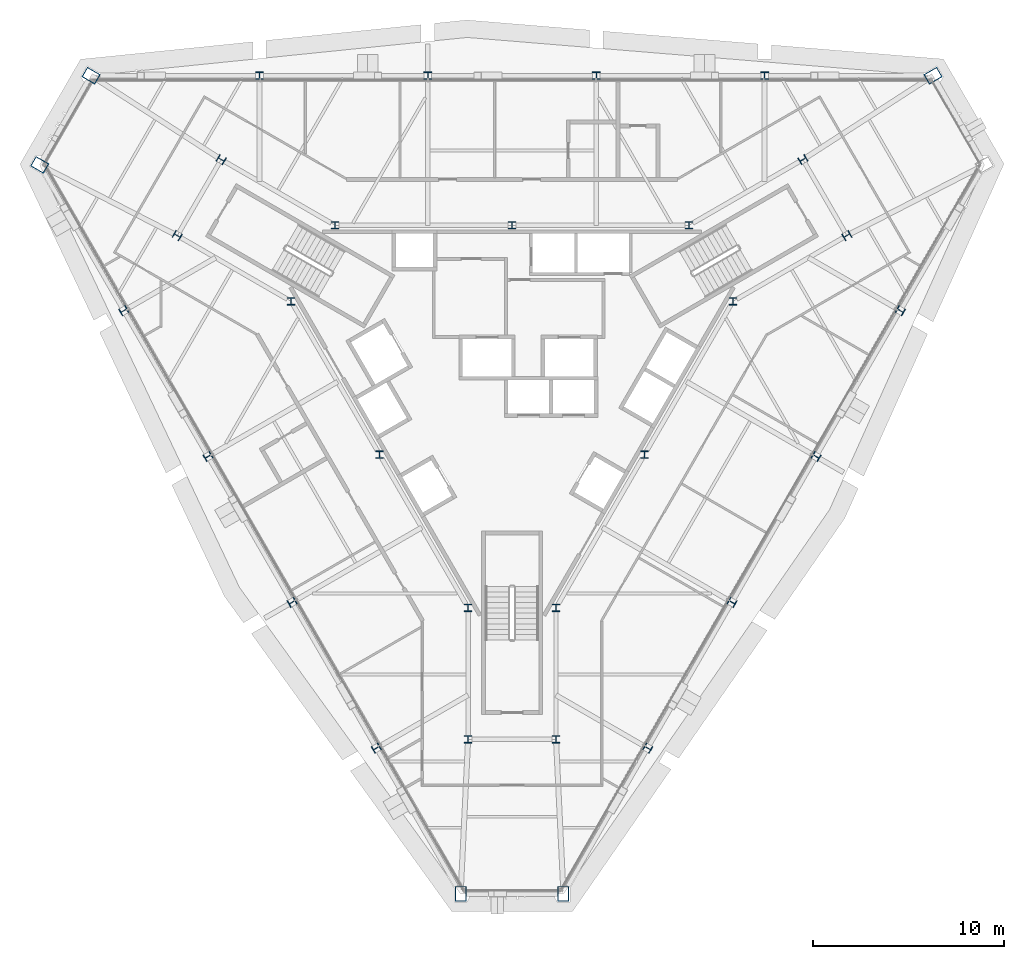
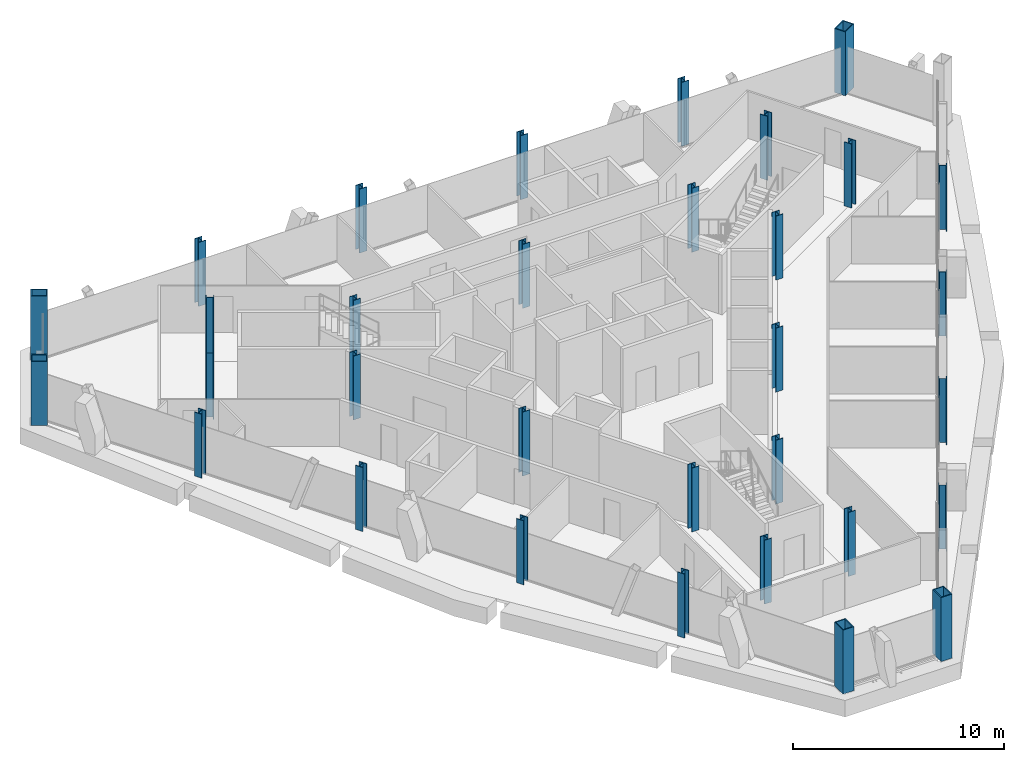
# One storey, part 1 of 14: 32 columns.
"""IFC4 building model written with IfcOpenShell, lengths in metres."""

import ifcopenshell
import ifcopenshell.guid

model = None  # the IFC model being written
_history = None  # IfcOwnerHistory: only IFC2X3 demands one
_inside = {}  # id of a spatial element -> (the spatial element, [elements in it])
_under = {}  # id of a project, library or spatial element -> (it, [spatial elements below it])
_declared = {}  # id of a project -> (the project, [libraries it declares])
_typed = {}  # id of a type object -> (the type object, [elements of that type])
_made_of = {}  # id of a material, layer set ... -> (it, [elements and type objects made of it])


def new_model(schema):
    """Start an empty IFC model of exactly this schema.

    Asked for "IFC4X3", IfcOpenShell would pick the latest addendum, in which some entities
    have other attributes; the version numbers below select the first issue.
    IFC2X3 requires an IfcOwnerHistory on every rooted entity: one is made here for all.
    """
    global model, _history
    if schema == "IFC4X3":
        model = ifcopenshell.file(schema_version=(4, 3, 0, 0))
    else:
        model = ifcopenshell.file(schema=schema)
    _inside.clear()
    _under.clear()
    _declared.clear()
    _typed.clear()
    _made_of.clear()
    _history = None
    if model.schema == "IFC2X3":
        org = make("IfcOrganization", Name="unknown")
        user = make(
            "IfcPersonAndOrganization",
            ThePerson=make("IfcPerson", FamilyName="unknown"),
            TheOrganization=org,
        )
        app = make(
            "IfcApplication",
            ApplicationDeveloper=org,
            Version="unknown",
            ApplicationFullName="unknown",
            ApplicationIdentifier="unknown",
        )
        _history = make(
            "IfcOwnerHistory",
            OwningUser=user,
            OwningApplication=app,
            ChangeAction="ADDED",
            CreationDate=0,
        )
    return model


def make(cls, **values):
    """One entity of the class cls with the attributes given. An attribute that is None is left unset."""
    return model.create_entity(
        cls, **{name: value for name, value in values.items() if value is not None}
    )


def rooted(cls, **values):
    """An entity with a GlobalId (a new one), such as an element, a storey or a relation."""
    return make(cls, GlobalId=ifcopenshell.guid.new(), OwnerHistory=_history, **values)


def si_unit(unit_type, name, prefix=None):
    """IfcSIUnit, for example si_unit("LENGTHUNIT", "METRE", prefix="MILLI")."""
    return make("IfcSIUnit", UnitType=unit_type, Prefix=prefix, Name=name)


def assignment(units):
    """IfcUnitAssignment: the units of a project."""
    return None if units is None else make("IfcUnitAssignment", Units=units)


def point(xyz):
    """IfcCartesianPoint."""
    return None if xyz is None else make("IfcCartesianPoint", Coordinates=xyz)


def direction(xyz):
    """IfcDirection."""
    return None if xyz is None else make("IfcDirection", DirectionRatios=xyz)


def frame(location, z_axis=None, x_axis=None):
    """IfcAxis2Placement3D, a coordinate frame: its origin and axes. An axis left out is left unset."""
    return make(
        "IfcAxis2Placement3D",
        Location=point(location),
        Axis=direction(z_axis),
        RefDirection=direction(x_axis),
    )


def frame_2d(location, x_axis=None):
    """IfcAxis2Placement2D, a coordinate frame in the plane: its origin and x axis."""
    return make(
        "IfcAxis2Placement2D", Location=point(location), RefDirection=direction(x_axis)
    )


def origin():
    """The frame at (0, 0, 0) with its axes left unset."""
    return frame((0.0, 0.0, 0.0))


def origin_2d():
    """The frame at (0, 0) in the plane with its x axis left unset."""
    return frame_2d((0.0, 0.0))


def place(relative_to, where):
    """IfcLocalPlacement: puts the frame where relative to a parent placement (None: the world)."""
    return make(
        "IfcLocalPlacement", PlacementRelTo=relative_to, RelativePlacement=where
    )


def context(
    kind, dimensions, precision=None, world=None, true_north=None, identifier=None
):
    """IfcGeometricRepresentationContext, for example the 3D "Model" context."""
    return make(
        "IfcGeometricRepresentationContext",
        ContextIdentifier=identifier,
        ContextType=kind,
        CoordinateSpaceDimension=dimensions,
        Precision=precision,
        WorldCoordinateSystem=world,
        TrueNorth=true_north,
    )


def subcontext(parent, identifier, kind, view, scale=None):
    """IfcGeometricRepresentationSubContext, for example "Body" below "Model"."""
    return make(
        "IfcGeometricRepresentationSubContext",
        ContextIdentifier=identifier,
        ContextType=kind,
        ParentContext=parent,
        TargetScale=scale,
        TargetView=view,
    )


def project(units=None, contexts=None):
    """IfcProject with its units and contexts."""
    return rooted(
        "IfcProject",
        Name="project",
        RepresentationContexts=contexts,
        UnitsInContext=assignment(units),
    )


def spatial(cls, under=None, at=None, **own):
    """A site, building, storey or space (cls), placed at a placement, below another one or the project."""
    s = rooted(cls, ObjectPlacement=at, **own)
    if under is not None:
        _under.setdefault(under.id(), (under, []))[1].append(s)
    return s


def profile(cls, at=None, kind="AREA", **sizes):
    """A parametric profile (cls). Its sizes go by their IFC names, for example OverallWidth=200.0."""
    return make(cls, ProfileType=kind, Position=at, **sizes)


def hollow_rectangle(**sizes):
    """IfcRectangleHollowProfileDef."""
    return profile("IfcRectangleHollowProfileDef", **sizes)


def i_section(**sizes):
    """IfcIShapeProfileDef."""
    return profile("IfcIShapeProfileDef", **sizes)


def extrude(swept, where, along, depth):
    """IfcExtrudedAreaSolid: the profile swept, set in the frame where, extruded along a direction by depth."""
    return make(
        "IfcExtrudedAreaSolid",
        SweptArea=swept,
        Position=where,
        ExtrudedDirection=direction(along),
        Depth=depth,
    )


def shape(context_of_items, identifier, shape_type, items):
    """IfcShapeRepresentation: the items that make up one representation, for example the "Body"."""
    return make(
        "IfcShapeRepresentation",
        ContextOfItems=context_of_items,
        RepresentationIdentifier=identifier,
        RepresentationType=shape_type,
        Items=items,
    )


def material(Name=None, Category=None):
    """IfcMaterial."""
    return make("IfcMaterial", Name=Name, Category=Category)


def material_profile(
    of_material, cross_section, Name=None, Category=None, Priority=None
):
    """IfcMaterialProfile: a cross section and its material."""
    return make(
        "IfcMaterialProfile",
        Name=Name,
        Material=of_material,
        Profile=cross_section,
        Priority=Priority,
        Category=Category,
    )


def profile_set(profiles, Name=None, composite=None):
    """IfcMaterialProfileSet."""
    return make(
        "IfcMaterialProfileSet",
        Name=Name,
        MaterialProfiles=profiles,
        CompositeProfile=composite,
    )


def made_of(thing, what):
    """Note that an element or type object is made of a material, layer set ...; save() writes the relation."""
    if what is not None:
        _made_of.setdefault(what.id(), (what, []))[1].append(thing)
    return thing


def type_object(cls, material=None, **own):
    """A type object (cls), such as IfcWallType, which elements share."""
    return made_of(rooted(cls, **own), material)


def element(
    cls,
    number,
    at=None,
    inside=None,
    cuts=None,
    type_object=None,
    material=None,
    context=None,
    identifier="Body",
    shape_type=None,
    held_by="IfcProductDefinitionShape",
    body=None,
    shapes=None,
    **own,
):
    """One element of the class cls, such as IfcWall. Its Tag is "e" and its number.

    at: its placement. inside: the storey or other place that contains it. cuts: it is an
    opening in that element (IfcRelVoidsElement). A single representation is given by context,
    identifier, shape_type and body (its items); several are given by shapes. held_by: the class
    of the entity that holds the representations. save() writes the other relations.
    """
    e = rooted(cls, Tag="e%d" % number, ObjectPlacement=at, **own)
    if body is not None:
        shapes = [shape(context, identifier, shape_type, body)]
    if shapes is not None:
        e.Representation = make(held_by, Representations=shapes)
    if inside is not None:
        _inside.setdefault(inside.id(), (inside, []))[1].append(e)
    if cuts is not None:
        rooted(
            "IfcRelVoidsElement", RelatingBuildingElement=cuts, RelatedOpeningElement=e
        )
    if type_object is not None:
        _typed.setdefault(type_object.id(), (type_object, []))[1].append(e)
    return made_of(e, material)


def aggregate(whole, parts):
    """IfcRelAggregates: a whole, such as a stair, and the parts it consists of."""
    return rooted("IfcRelAggregates", RelatingObject=whole, RelatedObjects=parts)


def save(model, path):
    """Write the relations noted so far, then the file.

    IfcRelAggregates (storeys below a building ...), IfcRelContainedInSpatialStructure (elements
    in a storey), IfcRelDefinesByType, IfcRelAssociatesMaterial and IfcRelDeclares: one each for
    every whole, place, type object, material and project.
    """
    for whole, parts in _under.values():
        aggregate(whole, parts)
    for where, things in _inside.values():
        rooted(
            "IfcRelContainedInSpatialStructure",
            RelatedElements=things,
            RelatingStructure=where,
        )
    for kind, things in _typed.values():
        rooted("IfcRelDefinesByType", RelatedObjects=things, RelatingType=kind)
    for what, things in _made_of.values():
        rooted("IfcRelAssociatesMaterial", RelatedObjects=things, RelatingMaterial=what)
    for by, libraries in _declared.values():
        rooted("IfcRelDeclares", RelatingContext=by, RelatedDefinitions=libraries)
    model.write(path)


model = new_model("IFC4")

# Units and contexts
model_context = context("Model", 3, precision=1e-05, world=origin(), true_north=direction((0.0, 1.0)))
body_context = subcontext(model_context, "Body", "Model", "MODEL_VIEW")
ifc_project = project(units=[si_unit("LENGTHUNIT", "METRE"), si_unit("AREAUNIT", "SQUARE_METRE"), si_unit("VOLUMEUNIT", "CUBIC_METRE"), si_unit("PLANEANGLEUNIT", "RADIAN"), si_unit("MASSUNIT", "GRAM", prefix="KILO")], contexts=[model_context])

# Site, building, storey
site_placement = place(None, origin())
site = spatial("IfcSite", under=ifc_project, at=site_placement, CompositionType="ELEMENT")
building_placement = place(site_placement, origin())
building = spatial("IfcBuilding", under=site, at=building_placement, Name="Verrane Prism Tower", CompositionType="ELEMENT")
storey_placement = place(building_placement, frame((0.0, 0.0, 221.199951171875)))
storey = spatial("IfcBuildingStorey", under=building, at=storey_placement, Name="L55", CompositionType="ELEMENT", Elevation=221.199951171875)

# Columns
ifc_material_1 = material(Name="Steel A992", Category="steel")
ifc_material_profile_1 = material_profile(ifc_material_1, i_section(OverallWidth=0.4013671875, OverallDepth=0.398681640625, WebThickness=0.02490234375, FlangeThickness=0.03955078125, FilletRadius=0.01513671875, at=origin_2d()), Name="W14x211")
ifc_profile_set_1 = profile_set([ifc_material_profile_1], Name="Steel A992")
column_type_1 = type_object("IfcColumnType", Name="Core corner column W14x211", PredefinedType="COLUMN", material=ifc_profile_set_1)
for number, where, z_axis, x_axis, name in (
    (1, (17.52001953125, 7.4599609375, 0.0), (0.0, 0.0, 1.0), (0.5, -0.866025403784, 0.0), "Core corner column CK-NEm L55"),
    (2, (15.219970703125, 11.43994140625, 0.0), (0.0, 0.0, 1.0), (0.5, -0.866025403784, 0.0), "Core corner column CK-NEp L55"),
    (3, (-15.219970703125, 11.43994140625, 0.0), (0.0, 0.0, 1.0), (0.5, 0.866025403784, 0.0), "Core corner column CK-NWm L55"),
    (4, (-17.52001953125, 7.4599609375, 0.0), (0.0, 0.0, 1.0), (0.5, 0.866025403784, 0.0), "Core corner column CK-NWp L55"),
    (5, (-2.300048828125, -18.89990234375, 0.0), (0.0, 0.0, 1.0), (-1.0, 0.0, 0.0), "Core corner column CK-Sm L55"),
    (6, (2.300048828125, -18.89990234375, 0.0), (0.0, 0.0, 1.0), (-1.0, 0.0, 0.0), "Core corner column CK-Sp L55"),
):
    element("IfcColumn", number, at=place(storey_placement, frame(where, z_axis=z_axis, x_axis=x_axis)), inside=storey, type_object=column_type_1, Name=name, PredefinedType="COLUMN", context=body_context, shape_type="SweptSolid", body=[
        extrude(i_section(OverallWidth=0.4013671875, OverallDepth=0.398681640625, WebThickness=0.02490234375, FlangeThickness=0.03955078125, FilletRadius=0.01513671875, at=origin_2d()), origin(), (0.0, 0.0, 1.0), 3.699951171875),
    ])
ifc_material_2 = material(Name="Steel A992", Category="steel")
ifc_material_profile_2 = material_profile(ifc_material_2, i_section(OverallWidth=0.398681640625, OverallDepth=0.385986328125, WebThickness=0.02099609375, FlangeThickness=0.033203125, FilletRadius=0.01513671875, at=origin_2d()), Name="W14x176")
ifc_profile_set_2 = profile_set([ifc_material_profile_2], Name="Steel A992")
column_type_2 = type_object("IfcColumnType", Name="Core side column W14x176", PredefinedType="COLUMN", material=ifc_profile_set_2)
for number, where, z_axis, x_axis, name in (
    (7, (11.56005859375, 4.02001953125, 0.0), (0.0, 0.0, 1.0), (1.0, 0.0, 0.0), "Core side column CC-NEm L55"),
    (8, (9.260009765625, 8.0, 0.0), (0.0, 0.0, 1.0), (1.0, 0.0, 0.0), "Core side column CC-NEp L55"),
    (9, (0.0, 8.0, 0.0), (0.0, 0.0, 1.0), (1.0, 0.0, 0.0), "Core side column CC-N0 L55"),
    (10, (-9.260009765625, 8.0, 0.0), (0.0, 0.0, 1.0), (1.0, 0.0, 0.0), "Core side column CC-NWm L55"),
    (11, (-11.56005859375, 4.02001953125, 0.0), (0.0, 0.0, 1.0), (1.0, 0.0, 0.0), "Core side column CC-NWp L55"),
    (12, (-6.929931640625, -4.0, 0.0), (0.0, 0.0, 1.0), (1.0, 0.0, 0.0), "Core side column CC-SW0 L55"),
    (13, (-2.300048828125, -12.02001953125, 0.0), (0.0, 0.0, 1.0), (1.0, 0.0, 0.0), "Core side column CC-Sm L55"),
    (14, (2.300048828125, -12.02001953125, 0.0), (0.0, 0.0, 1.0), (1.0, 0.0, 0.0), "Core side column CC-Sp L55"),
    (15, (6.929931640625, -4.0, 0.0), (0.0, 0.0, 1.0), (1.0, 0.0, 0.0), "Core side column CC-SE0 L55"),
):
    element("IfcColumn", number, at=place(storey_placement, frame(where, z_axis=z_axis, x_axis=x_axis)), inside=storey, type_object=column_type_2, Name=name, PredefinedType="COLUMN", context=body_context, shape_type="SweptSolid", body=[
        extrude(i_section(OverallWidth=0.398681640625, OverallDepth=0.385986328125, WebThickness=0.02099609375, FlangeThickness=0.033203125, FilletRadius=0.01513671875, at=origin_2d()), origin(), (0.0, 0.0, 1.0), 3.699951171875),
    ])
ifc_material_3 = material(Name="Steel A572 Grade 50", Category="steel")
ifc_material_profile_3 = material_profile(ifc_material_3, hollow_rectangle(XDim=0.60009765625, YDim=0.800048828125, WallThickness=0.050048828125, at=origin_2d()), Name="BOX 800x600x50")
ifc_profile_set_3 = profile_set([ifc_material_profile_3], Name="Steel A572 Grade 50")
column_type_3 = type_object("IfcColumnType", Name="Megacolumn BOX 800x600x50", PredefinedType="COLUMN", material=ifc_profile_set_3)
for number, where, z_axis, x_axis, name in (
    (16, (22.030029296875, 15.830078125, 0.0), (0.0, 0.0, 1.0), (0.5, -0.866025403784, 0.0), "Megacolumn MC-NE.b L55"),
    (17, (-22.030029296875, 15.830078125, 0.0), (0.0, 0.0, 1.0), (0.5, 0.866025403784, 0.0), "Megacolumn MC-NW.a L55"),
    (18, (-24.719970703125, 11.159912109375, 0.0), (0.0, 0.0, 1.0), (0.5, 0.866025403784, 0.0), "Megacolumn MC-NW.b L55"),
    (19, (-2.68994140625, -26.989990234375, 0.0), (0.0, 0.0, 1.0), (-1.0, 0.0, 0.0), "Megacolumn MC-S.a L55"),
    (20, (2.68994140625, -26.989990234375, 0.0), (0.0, 0.0, 1.0), (-1.0, 0.0, 0.0), "Megacolumn MC-S.b L55"),
):
    element("IfcColumn", number, at=place(storey_placement, frame(where, z_axis=z_axis, x_axis=x_axis)), inside=storey, type_object=column_type_3, Name=name, PredefinedType="COLUMN", context=body_context, shape_type="SweptSolid", body=[
        extrude(hollow_rectangle(XDim=0.60009765625, YDim=0.800048828125, WallThickness=0.050048828125, at=origin_2d()), origin(), (0.0, 0.0, 1.0), 3.699951171875),
    ])
ifc_material_4 = material(Name="Steel A992", Category="steel")
ifc_material_profile_4 = material_profile(ifc_material_4, i_section(OverallWidth=0.4013671875, OverallDepth=0.398681640625, WebThickness=0.02490234375, FlangeThickness=0.03955078125, FilletRadius=0.01513671875, at=origin_2d()), Name="W14x211")
ifc_profile_set_4 = profile_set([ifc_material_profile_4], Name="Steel A992")
column_type_4 = type_object("IfcColumnType", Name="Perimeter column W14x211", PredefinedType="COLUMN", material=ifc_profile_set_4)
for number, where, z_axis, x_axis, name in (
    (21, (13.219970703125, 15.830078125, 0.0), (0.0, 0.0, 1.0), (1.0, 0.0, 0.0), "Perimeter column PC-N1 L55"),
    (22, (4.409912109375, 15.830078125, 0.0), (0.0, 0.0, 1.0), (1.0, 0.0, 0.0), "Perimeter column PC-N2 L55"),
    (23, (-4.409912109375, 15.830078125, 0.0), (0.0, 0.0, 1.0), (1.0, 0.0, 0.0), "Perimeter column PC-N3 L55"),
    (24, (-13.219970703125, 15.830078125, 0.0), (0.0, 0.0, 1.0), (1.0, 0.0, 0.0), "Perimeter column PC-N4 L55"),
    (25, (-20.320068359375, 3.530029296875, 0.0), (0.0, 0.0, 1.0), (-0.5, 0.866025403784, 0.0), "Perimeter column PC-SW1 L55"),
    (26, (-15.909912109375, -4.10009765625, 0.0), (0.0, 0.0, 1.0), (-0.5, 0.866025403784, 0.0), "Perimeter column PC-SW2 L55"),
    (27, (-11.510009765625, -11.72998046875, 0.0), (0.0, 0.0, 1.0), (-0.5, 0.866025403784, 0.0), "Perimeter column PC-SW3 L55"),
    (28, (-7.10009765625, -19.360107421875, 0.0), (0.0, 0.0, 1.0), (-0.5, 0.866025403784, 0.0), "Perimeter column PC-SW4 L55"),
    (29, (7.10009765625, -19.360107421875, 0.0), (0.0, 0.0, 1.0), (-0.5, -0.866025403784, 0.0), "Perimeter column PC-SE1 L55"),
    (30, (11.510009765625, -11.72998046875, 0.0), (0.0, 0.0, 1.0), (-0.5, -0.866025403784, 0.0), "Perimeter column PC-SE2 L55"),
    (31, (15.909912109375, -4.10009765625, 0.0), (0.0, 0.0, 1.0), (-0.5, -0.866025403784, 0.0), "Perimeter column PC-SE3 L55"),
    (32, (20.320068359375, 3.530029296875, 0.0), (0.0, 0.0, 1.0), (-0.5, -0.866025403784, 0.0), "Perimeter column PC-SE4 L55"),
):
    element("IfcColumn", number, at=place(storey_placement, frame(where, z_axis=z_axis, x_axis=x_axis)), inside=storey, type_object=column_type_4, Name=name, PredefinedType="COLUMN", context=body_context, shape_type="SweptSolid", body=[
        extrude(i_section(OverallWidth=0.4013671875, OverallDepth=0.398681640625, WebThickness=0.02490234375, FlangeThickness=0.03955078125, FilletRadius=0.01513671875, at=origin_2d()), origin(), (0.0, 0.0, 1.0), 3.699951171875),
    ])

save(model, "model.ifc")
